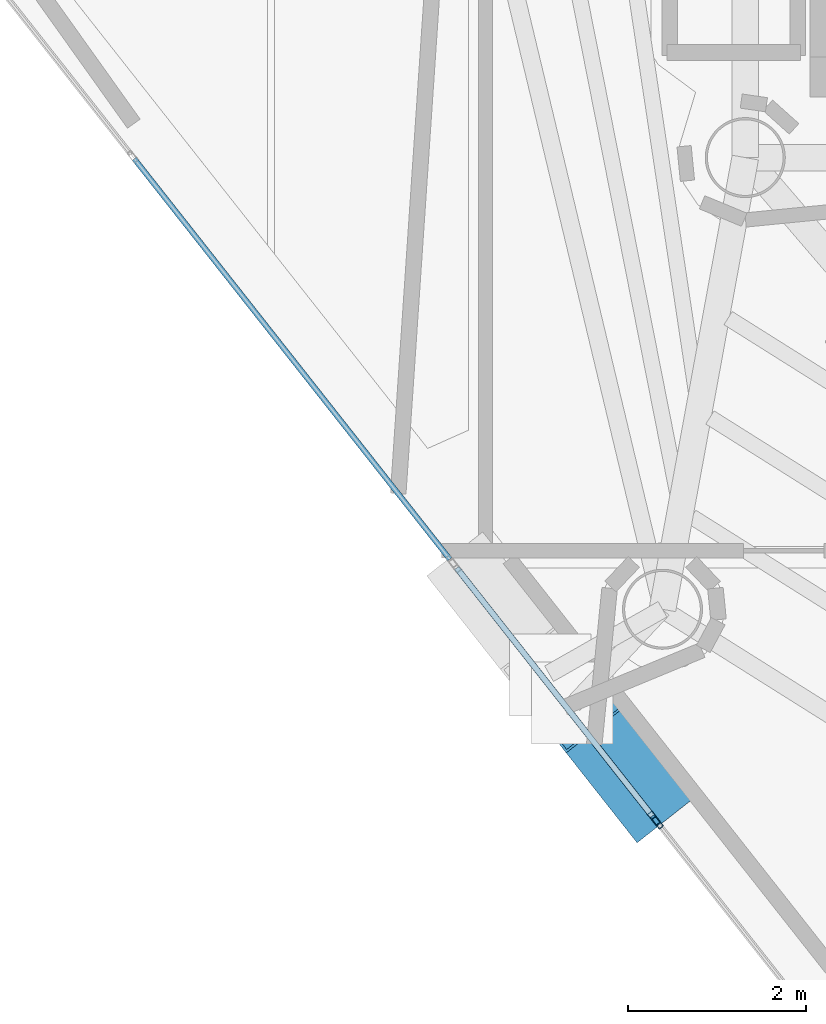
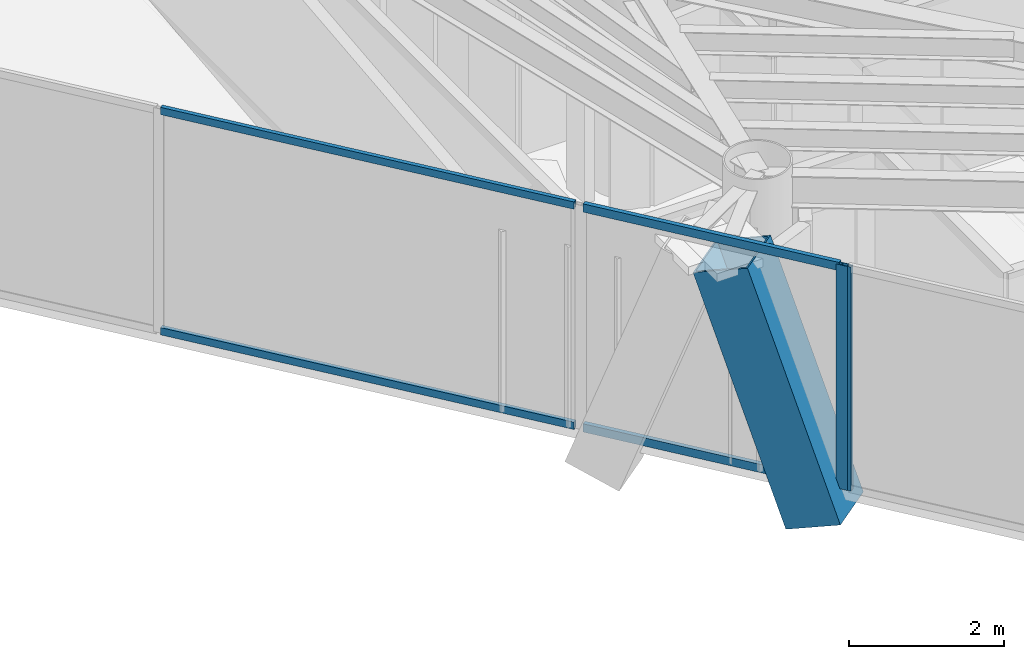
# One storey, part 3 of 21: 7 members, 3 elements without a shape of their own.
"""IFC4 building model written with IfcOpenShell, lengths in metres."""

from ifc_helpers import new_model, si_unit, direction, frame, origin, origin_2d, place, context, subcontext, project, spatial, hollow_rectangle, extrude, material, layer, layer_set, material_profile, profile_set, type_object, element, aggregate, save


model = new_model("IFC4")

# Units and contexts
model_context = context("Model", 3, precision=1e-05, world=origin(), true_north=direction((0.0, 1.0)))
body_context = subcontext(model_context, "Body", "Model", "MODEL_VIEW")
ifc_project = project(units=[si_unit("LENGTHUNIT", "METRE"), si_unit("AREAUNIT", "SQUARE_METRE"), si_unit("VOLUMEUNIT", "CUBIC_METRE"), si_unit("PLANEANGLEUNIT", "RADIAN"), si_unit("MASSUNIT", "GRAM", prefix="KILO")], contexts=[model_context])

# Site, building, storey
site_placement = place(None, origin())
site = spatial("IfcSite", under=ifc_project, at=site_placement, CompositionType="ELEMENT")
building_placement = place(site_placement, origin())
building = spatial("IfcBuilding", under=site, at=building_placement, Name="Qianvela Tower", CompositionType="ELEMENT")
storey_placement = place(building_placement, frame((0.0, 0.0, 310.199951171875)))
storey = spatial("IfcBuildingStorey", under=building, at=storey_placement, Name="L80", CompositionType="ELEMENT", Elevation=310.199951171875)

# Curtain wall, members
ifc_material_1 = material(Name="Anodised Architectural Aluminium and Insulated Spandrel Panel", Category="aluminium")
ifc_layer_1 = layer(ifc_material_1, 0.179931640625)
ifc_layer_set_1 = layer_set([ifc_layer_1], Name="Anodised Architectural Aluminium and Insulated Spandrel Panel")
curtain_wall_type_1 = type_object("IfcCurtainWallType", Name="CW-BRACEBAY", PredefinedType="USERDEFINED", material=ifc_layer_set_1)
curtain_wall_1_placement = place(storey_placement, origin())
curtain_wall_1 = element("IfcCurtainWall", 1, at=curtain_wall_1_placement, inside=storey, type_object=curtain_wall_type_1, Name="L80 CW-BRACEBAY Curtain Wall 04B", ObjectType="CURTAIN_WALL_SYSTEM", PredefinedType="USERDEFINED")
ifc_material_2 = material(Name="Anodised Architectural Aluminium 6063-T6", Category="aluminium")
ifc_material_profile_1 = material_profile(ifc_material_2, hollow_rectangle(XDim=0.06494140625, YDim=0.159912109375, WallThickness=0.0048828125, at=origin_2d()), Name="ALU-MULL-65x160")
ifc_profile_set_1 = profile_set([ifc_material_profile_1], Name="Anodised Architectural Aluminium 6063-T6")
member_type_1 = type_object("IfcMemberType", Name="CW-BRACEBAY-MULL", PredefinedType="MULLION", material=ifc_profile_set_1)
member_1_placement = place(storey_placement, frame((27.574462890625, 16.42431640625, 0.0), z_axis=(0.0, 0.0, 1.0), x_axis=(0.785423618194, 0.618958593109, 0.0)))
member_1 = element("IfcMember", 2, at=member_1_placement, type_object=member_type_1, Name="CW-9 mullion 2", PredefinedType="MULLION", context=body_context, shape_type="SweptSolid", body=[
    extrude(hollow_rectangle(XDim=0.06494140625, YDim=0.159912109375, WallThickness=0.0048828125, at=origin_2d()), origin(), (0.0, 0.0, 1.0), 3.52001953125),
])
ifc_material_3 = material(Name="Anodised Architectural Aluminium 6063-T6", Category="aluminium")
ifc_material_profile_2 = material_profile(ifc_material_3, hollow_rectangle(XDim=0.06494140625, YDim=0.1298828125, WallThickness=0.00439453125, at=origin_2d()), Name="ALU-TRAN-65x130")
ifc_profile_set_2 = profile_set([ifc_material_profile_2], Name="Anodised Architectural Aluminium 6063-T6")
member_type_2 = type_object("IfcMemberType", Name="CW-BRACEBAY-TRAN", PredefinedType="USERDEFINED", material=ifc_profile_set_2)
member_2_placement = place(storey_placement, frame((25.357177734375, 19.238037109375, 0.032470703125), z_axis=(0.618975091566, -0.785410616188, 0.0), x_axis=(0.785410616188, 0.618975091566, 0.0)))
member_2 = element("IfcMember", 3, at=member_2_placement, type_object=member_type_2, Name="CW-9 transom 1.1", ObjectType="TRANSOM", PredefinedType="USERDEFINED", context=body_context, shape_type="SweptSolid", body=[
    extrude(hollow_rectangle(XDim=0.06494140625, YDim=0.1298828125, WallThickness=0.00439453125, at=origin_2d()), origin(), (0.0, 0.0, 1.0), 3.5498046875),
])
member_3_placement = place(storey_placement, frame((25.357177734375, 19.238037109375, 3.487548828125), z_axis=(0.618975091566, -0.785410616188, 0.0), x_axis=(0.785410616188, 0.618975091566, 0.0)))
member_3 = element("IfcMember", 4, at=member_3_placement, type_object=member_type_2, Name="CW-9 transom 1.2", ObjectType="TRANSOM", PredefinedType="USERDEFINED", context=body_context, shape_type="SweptSolid", body=[
    extrude(hollow_rectangle(XDim=0.06494140625, YDim=0.1298828125, WallThickness=0.00439453125, at=origin_2d()), origin(), (0.0, 0.0, 1.0), 3.5498046875),
])
aggregate(curtain_wall_1, [member_1, member_2, member_3])

# Curtain wall, member
ifc_material_4 = material(Name="Anodised Architectural Aluminium and Low-E Glass", Category="aluminium")
ifc_layer_2 = layer(ifc_material_4, 0.14990234375)
ifc_layer_set_2 = layer_set([ifc_layer_2], Name="Anodised Architectural Aluminium and Low-E Glass")
curtain_wall_type_2 = type_object("IfcCurtainWallType", Name="CW-COLIV-Z78", PredefinedType="USERDEFINED", material=ifc_layer_set_2)
curtain_wall_2_placement = place(storey_placement, origin())
curtain_wall_2 = element("IfcCurtainWall", 5, at=curtain_wall_2_placement, inside=storey, type_object=curtain_wall_type_2, Name="L80 CW-COLIV-Z78 Curtain Wall 04C", ObjectType="CURTAIN_WALL_SYSTEM", PredefinedType="USERDEFINED")
ifc_material_5 = material(Name="Anodised Architectural Aluminium 6063-T6", Category="aluminium")
ifc_material_profile_3 = material_profile(ifc_material_5, hollow_rectangle(XDim=0.06005859375, YDim=0.139892578125, WallThickness=0.00439453125, at=origin_2d()), Name="ALU-MULL-60x140")
ifc_profile_set_3 = profile_set([ifc_material_profile_3], Name="Anodised Architectural Aluminium 6063-T6")
member_type_3 = type_object("IfcMemberType", Name="CW-COLIV-Z78-MULL", PredefinedType="MULLION", material=ifc_profile_set_3)
member_4_placement = place(storey_placement, frame((27.61328125, 16.375244140625, 0.0), z_axis=(0.0, 0.0, 1.0), x_axis=(0.785420015609, 0.618963164559, 0.0)))
member_4 = element("IfcMember", 6, at=member_4_placement, type_object=member_type_3, Name="CW-6 mullion 1", PredefinedType="MULLION", context=body_context, shape_type="SweptSolid", body=[
    extrude(hollow_rectangle(XDim=0.06005859375, YDim=0.139892578125, WallThickness=0.00439453125, at=origin_2d()), origin(), (0.0, 0.0, 1.0), 3.52001953125),
])
aggregate(curtain_wall_2, [member_4])

# Curtain wall, members
curtain_wall_3_placement = place(storey_placement, origin())
curtain_wall_3 = element("IfcCurtainWall", 7, at=curtain_wall_3_placement, inside=storey, type_object=curtain_wall_type_2, Name="L80 CW-COLIV-Z78 Curtain Wall 04A", ObjectType="CURTAIN_WALL_SYSTEM", PredefinedType="USERDEFINED")
ifc_material_6 = material(Name="Anodised Architectural Aluminium 6063-T6", Category="aluminium")
ifc_material_profile_4 = material_profile(ifc_material_6, hollow_rectangle(XDim=0.06005859375, YDim=0.114990234375, WallThickness=0.00390625, at=origin_2d()), Name="ALU-TRAN-60x115")
ifc_profile_set_4 = profile_set([ifc_material_profile_4], Name="Anodised Architectural Aluminium 6063-T6")
member_type_4 = type_object("IfcMemberType", Name="CW-COLIV-Z78-TRAN", PredefinedType="USERDEFINED", material=ifc_profile_set_4)
member_5_placement = place(storey_placement, frame((21.733154296875, 23.836669921875, 0.030029296875), z_axis=(0.618978175684, -0.785408185612, 0.0), x_axis=(0.785408185612, 0.618978175684, 0.0)))
member_5 = element("IfcMember", 8, at=member_5_placement, type_object=member_type_4, Name="CW-6 transom 2.1", ObjectType="TRANSOM", PredefinedType="USERDEFINED", context=body_context, shape_type="SweptSolid", body=[
    extrude(hollow_rectangle(XDim=0.06005859375, YDim=0.114990234375, WallThickness=0.00390625, at=origin_2d()), origin(), (0.0, 0.0, 1.0), 5.729736328125),
])
member_6_placement = place(storey_placement, frame((21.733154296875, 23.836669921875, 3.489990234375), z_axis=(0.618978175684, -0.785408185612, 0.0), x_axis=(0.785408185612, 0.618978175684, 0.0)))
member_6 = element("IfcMember", 9, at=member_6_placement, type_object=member_type_4, Name="CW-6 transom 2.2", ObjectType="TRANSOM", PredefinedType="USERDEFINED", context=body_context, shape_type="SweptSolid", body=[
    extrude(hollow_rectangle(XDim=0.06005859375, YDim=0.114990234375, WallThickness=0.00390625, at=origin_2d()), origin(), (0.0, 0.0, 1.0), 5.729736328125),
])
aggregate(curtain_wall_3, [member_5, member_6])

# Member
ifc_material_7 = material(Name="Steel Q420GJC", Category="steel")
ifc_material_profile_5 = material_profile(ifc_material_7, hollow_rectangle(XDim=0.800048828125, YDim=0.800048828125, WallThickness=0.028076171875, at=origin_2d()), Name="MBOX-800x800x28")
ifc_profile_set_5 = profile_set([ifc_material_profile_5], Name="Steel Q420GJC")
member_type_5 = type_object("IfcMemberType", Name="MBR-MBRACE-800", PredefinedType="BRACE", material=ifc_profile_set_5)
member_7_placement = place(storey_placement, frame((27.464599609375, 16.693115234375, -0.48193359375), z_axis=(-0.203354851244, 0.258073073553, 0.944481388479), x_axis=(-0.785455347327, -0.618918328502, 0.0)))
element("IfcMember", 10, at=member_7_placement, inside=storey, type_object=member_type_5, Name="L80 Tier 13 Exterior Mega-Brace F2B", PredefinedType="BRACE", context=body_context, shape_type="SweptSolid", body=[
    extrude(hollow_rectangle(XDim=0.800048828125, YDim=0.800048828125, WallThickness=0.028076171875, at=origin_2d()), origin(), (0.0, 0.0, 1.0), 3.91748046875),
])

save(model, "model.ifc")
